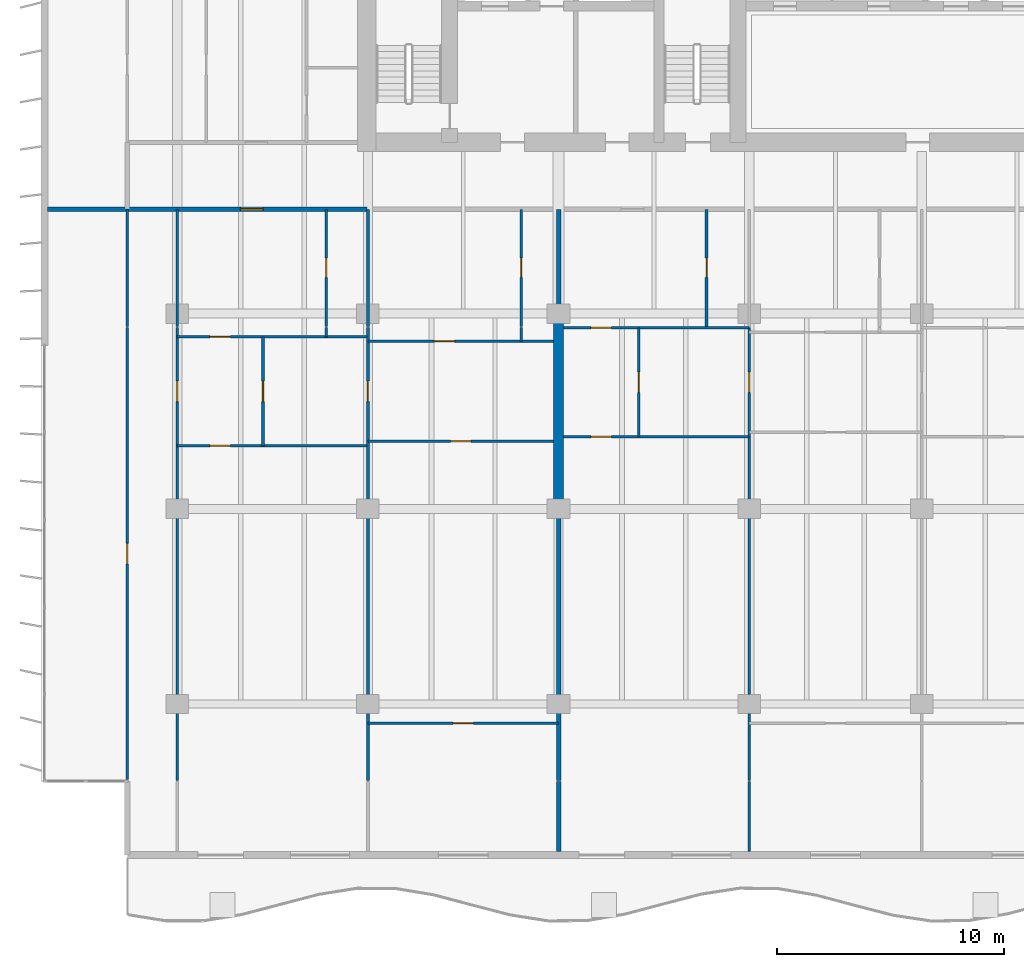
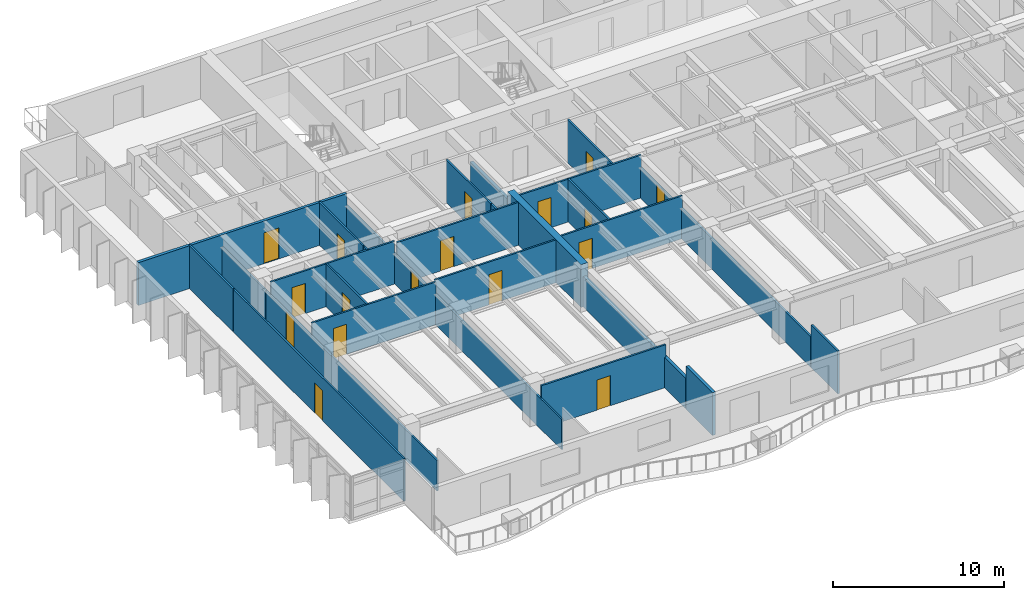
# One storey, part 6 of 15: 28 walls, 17 doors, 17 openings.
"""IFC4 building model written with IfcOpenShell, lengths in metres."""

from ifc_helpers import new_model, si_unit, direction, frame, frame_2d, origin, place, context, subcontext, project, spatial, rectangle, extrude, material, layer, layer_set, type_object, element, fill, save


model = new_model("IFC4")

# Units and contexts
model_context = context("Model", 3, precision=1e-05, world=origin(), true_north=direction((0.0, 1.0)))
body_context = subcontext(model_context, "Body", "Model", "MODEL_VIEW")
ifc_project = project(units=[si_unit("LENGTHUNIT", "METRE"), si_unit("AREAUNIT", "SQUARE_METRE"), si_unit("VOLUMEUNIT", "CUBIC_METRE"), si_unit("PLANEANGLEUNIT", "RADIAN"), si_unit("MASSUNIT", "GRAM", prefix="KILO")], contexts=[model_context])

# Site, building, storey
site_placement = place(None, origin())
site = spatial("IfcSite", under=ifc_project, at=site_placement, CompositionType="ELEMENT")
building_placement = place(site_placement, origin())
building = spatial("IfcBuilding", under=site, at=building_placement, Name="Caelmar Bay Residences", CompositionType="ELEMENT")
storey_placement = place(building_placement, frame((0.0, 0.0, 132.300048828125)))
storey = spatial("IfcBuildingStorey", under=building, at=storey_placement, Name="L36", CompositionType="ELEMENT", Elevation=132.300048828125)

# Wall
ifc_material_1 = material(Name="Concrete f'c 55 MPa (8,000 psi)", Category="concrete")
ifc_layer_1 = layer(ifc_material_1, 0.449951171875)
ifc_layer_set_1 = layer_set([ifc_layer_1], Name="Concrete f'c 55 MPa (8,000 psi)")
wall_type_1 = type_object("IfcWallType", Name="SW-XSLB-450", PredefinedType="SHEAR", material=ifc_layer_set_1)
wall_1_placement = place(storey_placement, frame((26.699951171875, 20.800048828125, 0.0), z_axis=(0.0, 0.0, 1.0), x_axis=(0.0, 1.0, 0.0)))
element("IfcWall", 1, at=wall_1_placement, inside=storey, type_object=wall_type_1, Name="L36 Transverse Cross-Slab Shear Wall W5", PredefinedType="SHEAR", context=body_context, shape_type="SweptSolid", body=[
    extrude(rectangle(XDim=8.599853515625, YDim=0.449951171875, at=frame_2d((4.2998046875, 0.0))), origin(), (0.0, 0.0, 1.0), 3.050048828125),
])

# Wall, opening, door
ifc_material_2 = material(Name="Double-stud acoustic fire-rated gypsum partition 180 mm")
ifc_layer_2 = layer(ifc_material_2, 0.179931640625)
ifc_layer_set_2 = layer_set([ifc_layer_2], Name="Double-stud acoustic fire-rated gypsum partition 180 mm")
wall_type_2 = type_object("IfcWallType", Name="W-COR-200", PredefinedType="PARTITIONING", material=ifc_layer_set_2)
wall_2_placement = place(storey_placement, frame((7.705078125, 34.0, 0.0), z_axis=(0.0, 0.0, 1.0), x_axis=(1.0, 0.0, 0.0)))
wall_2 = element("IfcWall", 2, at=wall_2_placement, inside=storey, type_object=wall_type_2, Name="L36 Partition Wall H093", PredefinedType="PARTITIONING", context=body_context, shape_type="SweptSolid", body=[
    extrude(rectangle(XDim=10.544921875, YDim=0.179931640625, at=frame_2d((5.2724609375, 0.0))), origin(), (0.0, 0.0, 1.0), 3.050048828125),
])
opening_1_placement = place(wall_2_placement, frame((4.978515625, 0.0, 0.0)))
opening_1 = element("IfcOpeningElement", 3, at=opening_1_placement, cuts=wall_2, Name="Opening D-L36-120", PredefinedType="OPENING", context=body_context, shape_type="SweptSolid", body=[
    extrude(rectangle(XDim=1.0, YDim=2.199951171875, at=frame_2d((0.5, 1.10009765625))), frame((0.0, 0.099853515625, 0.0), z_axis=(0.0, -1.0, 0.0), x_axis=(1.0, 0.0, 0.0)), (0.0, 0.0, 1.0), 0.199951171875),
])
ifc_material_3 = material(Name="Fire-rated steel and walnut architectural door assembly", Category="steel")
ifc_layer_3 = layer(ifc_material_3, 0.050048828125)
ifc_layer_set_3 = layer_set([ifc_layer_3], Name="Fire-rated steel and walnut architectural door assembly")
door_type_1 = type_object("IfcDoorType", Name="D-UNIT-1000", OperationType="NOTDEFINED", PredefinedType="DOOR", material=ifc_layer_set_3)
door_1_placement = place(opening_1_placement, origin())
door_1 = element("IfcDoor", 4, at=door_1_placement, inside=storey, type_object=door_type_1, Name="L36 Residence 01 Apartment Hall Door", OperationType="SINGLE_SWING_LEFT", OverallHeight=2.199951171875, OverallWidth=1.0, PredefinedType="DOOR", context=body_context, shape_type="SweptSolid", body=[
    extrude(rectangle(XDim=1.0, YDim=2.199951171875, at=frame_2d((0.5, 1.10009765625))), frame((0.0, 0.02490234375, 0.0), z_axis=(0.0, -1.0, 0.0), x_axis=(1.0, 0.0, 0.0)), (0.0, 0.0, 1.0), 0.050048828125),
])
fill(opening_1, door_1)

ifc_material_4 = material(Name="Acoustic metal-stud gypsum partition 120 mm")
ifc_layer_4 = layer(ifc_material_4, 0.1201171875)
ifc_layer_set_4 = layer_set([ifc_layer_4], Name="Acoustic metal-stud gypsum partition 120 mm")
wall_type_3 = type_object("IfcWallType", Name="W-PRT-120", PredefinedType="PARTITIONING", material=ifc_layer_set_4)
wall_3_placement = place(storey_placement, frame((7.699951171875, 8.885009765625, 0.0), z_axis=(0.0, 0.0, 1.0), x_axis=(0.0, 1.0, 0.0)))
wall_3 = element("IfcWall", 5, at=wall_3_placement, inside=storey, type_object=wall_type_3, Name="L36 Partition Wall V001", PredefinedType="PARTITIONING", context=body_context, shape_type="SweptSolid", body=[
    extrude(rectangle(XDim=19.89501953125, YDim=0.1201171875, at=frame_2d((9.947509765625, 0.0))), origin(), (0.0, 0.0, 1.0), 3.050048828125),
])
opening_2_placement = place(wall_3_placement, frame((9.49755859375, 0.0, 0.0)))
opening_2 = element("IfcOpeningElement", 6, at=opening_2_placement, cuts=wall_3, Name="Opening D-L36-161", PredefinedType="OPENING", context=body_context, shape_type="SweptSolid", body=[
    extrude(rectangle(XDim=0.89990234375, YDim=2.14990234375, at=frame_2d((0.449951171875, 1.074951171875))), frame((0.0, 0.070068359375, 0.0), z_axis=(0.0, -1.0, 0.0), x_axis=(1.0, 0.0, 0.0)), (0.0, 0.0, 1.0), 0.14013671875),
])
ifc_material_5 = material(Name="Solid walnut timber interior door leaf and frame", Category="wood")
ifc_layer_5 = layer(ifc_material_5, 0.050048828125)
ifc_layer_set_5 = layer_set([ifc_layer_5], Name="Solid walnut timber interior door leaf and frame")
door_type_2 = type_object("IfcDoorType", Name="D-ROOM-900", OperationType="NOTDEFINED", PredefinedType="DOOR", material=ifc_layer_set_5)
door_2_placement = place(opening_2_placement, origin())
door_2 = element("IfcDoor", 7, at=door_2_placement, inside=storey, type_object=door_type_2, Name="L36 Residence 01 Penthouse West Salon Door", OperationType="SINGLE_SWING_RIGHT", OverallHeight=2.14990234375, OverallWidth=0.89990234375, PredefinedType="DOOR", context=body_context, shape_type="SweptSolid", body=[
    extrude(rectangle(XDim=0.89990234375, YDim=2.14990234375, at=frame_2d((0.449951171875, 1.074951171875))), frame((0.0, 0.02490234375, 0.0), z_axis=(0.0, -1.0, 0.0), x_axis=(1.0, 0.0, 0.0)), (0.0, 0.0, 1.0), 0.050048828125),
])
fill(opening_2, door_2)

# Wall
wall_4_placement = place(storey_placement, frame((7.699951171875, 28.840087890625, 0.0), z_axis=(0.0, 0.0, 1.0), x_axis=(0.0, 1.0, 0.0)))
element("IfcWall", 8, at=wall_4_placement, inside=storey, type_object=wall_type_3, Name="L36 Partition Wall V002", PredefinedType="PARTITIONING", context=body_context, shape_type="SweptSolid", body=[
    extrude(rectangle(XDim=5.159912109375, YDim=0.1201171875, at=frame_2d((2.580078125, 0.0))), origin(), (0.0, 0.0, 1.0), 3.050048828125),
])

# Wall, opening, door
wall_5_placement = place(storey_placement, frame((9.89990234375, 8.840087890625, 0.0), z_axis=(0.0, 0.0, 1.0), x_axis=(0.0, 1.0, 0.0)))
wall_5 = element("IfcWall", 9, at=wall_5_placement, inside=storey, type_object=wall_type_3, Name="L36 Partition Wall V007", PredefinedType="PARTITIONING", context=body_context, shape_type="SweptSolid", body=[
    extrude(rectangle(XDim=19.93994140625, YDim=0.1201171875, at=frame_2d((9.969970703125, 0.0))), origin(), (0.0, 0.0, 1.0), 2.174072265625),
])
opening_3_placement = place(wall_5_placement, frame((16.68994140625, 0.0, 0.0)))
opening_3 = element("IfcOpeningElement", 10, at=opening_3_placement, cuts=wall_5, Name="Opening D-L36-130", PredefinedType="OPENING", context=body_context, shape_type="SweptSolid", body=[
    extrude(rectangle(XDim=0.89990234375, YDim=2.1240234375, at=frame_2d((0.449951171875, 1.06201171875))), frame((0.0, 0.070068359375, 0.0), z_axis=(0.0, -1.0, 0.0), x_axis=(1.0, 0.0, 0.0)), (0.0, 0.0, 1.0), 0.14013671875),
])
door_3_placement = place(opening_3_placement, origin())
door_3 = element("IfcDoor", 11, at=door_3_placement, inside=storey, type_object=door_type_2, Name="L36 Residence 01 West Apartment Hall Door", OperationType="SINGLE_SWING_LEFT", OverallHeight=2.1240234375, OverallWidth=0.89990234375, PredefinedType="DOOR", context=body_context, shape_type="SweptSolid", body=[
    extrude(rectangle(XDim=0.89990234375, YDim=2.1240234375, at=frame_2d((0.449951171875, 1.06201171875))), frame((0.0, 0.02490234375, 0.0), z_axis=(0.0, -1.0, 0.0), x_axis=(1.0, 0.0, 0.0)), (0.0, 0.0, 1.0), 0.050048828125),
])
fill(opening_3, door_3)

# Wall
wall_6_placement = place(storey_placement, frame((9.89990234375, 28.840087890625, 0.0), z_axis=(0.0, 0.0, 1.0), x_axis=(0.0, 1.0, 0.0)))
element("IfcWall", 12, at=wall_6_placement, inside=storey, type_object=wall_type_3, Name="L36 Partition Wall V008", PredefinedType="PARTITIONING", context=body_context, shape_type="SweptSolid", body=[
    extrude(rectangle(XDim=5.159912109375, YDim=0.1201171875, at=frame_2d((2.580078125, 0.0))), origin(), (0.0, 0.0, 1.0), 2.174072265625),
])

# Wall, opening, door
wall_7_placement = place(storey_placement, frame((13.679931640625, 23.580078125, 0.0), z_axis=(0.0, 0.0, 1.0), x_axis=(0.0, 1.0, 0.0)))
wall_7 = element("IfcWall", 13, at=wall_7_placement, inside=storey, type_object=wall_type_3, Name="L36 Partition Wall V010", PredefinedType="PARTITIONING", context=body_context, shape_type="SweptSolid", body=[
    extrude(rectangle(XDim=4.7998046875, YDim=0.1201171875, at=frame_2d((2.39990234375, 0.0))), origin(), (0.0, 0.0, 1.0), 3.050048828125),
])
opening_4_placement = place(wall_7_placement, frame((1.949951171875, 0.0, 0.0)))
opening_4 = element("IfcOpeningElement", 14, at=opening_4_placement, cuts=wall_7, Name="Opening D-L36-123", PredefinedType="OPENING", context=body_context, shape_type="SweptSolid", body=[
    extrude(rectangle(XDim=0.89990234375, YDim=2.14990234375, at=frame_2d((0.449951171875, 1.074951171875))), frame((0.0, 0.070068359375, 0.0), z_axis=(0.0, -1.0, 0.0), x_axis=(1.0, 0.0, 0.0)), (0.0, 0.0, 1.0), 0.14013671875),
])
door_4_placement = place(opening_4_placement, origin())
door_4 = element("IfcDoor", 15, at=door_4_placement, inside=storey, type_object=door_type_2, Name="L36 Residence 01 Kitchen Door", OperationType="SINGLE_SWING_RIGHT", OverallHeight=2.14990234375, OverallWidth=0.89990234375, PredefinedType="DOOR", context=body_context, shape_type="SweptSolid", body=[
    extrude(rectangle(XDim=0.89990234375, YDim=2.14990234375, at=frame_2d((0.449951171875, 1.074951171875))), frame((0.0, 0.02490234375, 0.0), z_axis=(0.0, -1.0, 0.0), x_axis=(1.0, 0.0, 0.0)), (0.0, 0.0, 1.0), 0.050048828125),
])
fill(opening_4, door_4)

# Wall
wall_8_placement = place(storey_placement, frame((16.467041015625, 28.3798828125, 0.0), z_axis=(0.0, 0.0, 1.0), x_axis=(0.0, 1.0, 0.0)))
element("IfcWall", 16, at=wall_8_placement, inside=storey, type_object=wall_type_3, Name="L36 Partition Wall V012", PredefinedType="PARTITIONING", context=body_context, shape_type="SweptSolid", body=[
    extrude(rectangle(XDim=0.400146484375, YDim=0.1201171875, at=frame_2d((0.2001953125, 0.0))), origin(), (0.0, 0.0, 1.0), 3.050048828125),
])

# Wall, opening, door
wall_9_placement = place(storey_placement, frame((16.467041015625, 28.840087890625, 0.0), z_axis=(0.0, 0.0, 1.0), x_axis=(0.0, 1.0, 0.0)))
wall_9 = element("IfcWall", 17, at=wall_9_placement, inside=storey, type_object=wall_type_3, Name="L36 Partition Wall V013", PredefinedType="PARTITIONING", context=body_context, shape_type="SweptSolid", body=[
    extrude(rectangle(XDim=5.159912109375, YDim=0.1201171875, at=frame_2d((2.580078125, 0.0))), origin(), (0.0, 0.0, 1.0), 3.050048828125),
])
opening_5_placement = place(wall_9_placement, frame((2.155029296875, 0.0, 0.0)))
opening_5 = element("IfcOpeningElement", 18, at=opening_5_placement, cuts=wall_9, Name="Opening D-L36-121", PredefinedType="OPENING", context=body_context, shape_type="SweptSolid", body=[
    extrude(rectangle(XDim=0.85009765625, YDim=2.10009765625, at=frame_2d((0.425048828125, 1.050048828125))), frame((0.0, 0.070068359375, 0.0), z_axis=(0.0, -1.0, 0.0), x_axis=(1.0, 0.0, 0.0)), (0.0, 0.0, 1.0), 0.14013671875),
])
ifc_layer_6 = layer(ifc_material_5, 0.050048828125)
ifc_layer_set_6 = layer_set([ifc_layer_6], Name="Solid walnut timber interior door leaf and frame")
door_type_3 = type_object("IfcDoorType", Name="D-BATH-850", OperationType="NOTDEFINED", PredefinedType="DOOR", material=ifc_layer_set_6)
door_5_placement = place(opening_5_placement, origin())
door_5 = element("IfcDoor", 19, at=door_5_placement, inside=storey, type_object=door_type_3, Name="L36 Residence 01 Guest Bathroom Door", OperationType="SINGLE_SWING_RIGHT", OverallHeight=2.10009765625, OverallWidth=0.85009765625, PredefinedType="DOOR", context=body_context, shape_type="SweptSolid", body=[
    extrude(rectangle(XDim=0.85009765625, YDim=2.10009765625, at=frame_2d((0.425048828125, 1.050048828125))), frame((0.0, 0.02490234375, 0.0), z_axis=(0.0, -1.0, 0.0), x_axis=(1.0, 0.0, 0.0)), (0.0, 0.0, 1.0), 0.050048828125),
])
fill(opening_5, door_5)

wall_10_placement = place(storey_placement, frame((18.300048828125, 8.840087890625, 0.0), z_axis=(0.0, 0.0, 1.0), x_axis=(0.0, 1.0, 0.0)))
wall_10 = element("IfcWall", 20, at=wall_10_placement, inside=storey, type_object=wall_type_3, Name="L36 Partition Wall V015", PredefinedType="PARTITIONING", context=body_context, shape_type="SweptSolid", body=[
    extrude(rectangle(XDim=19.93994140625, YDim=0.1201171875, at=frame_2d((9.969970703125, 0.0))), origin(), (0.0, 0.0, 1.0), 2.174072265625),
])
opening_6_placement = place(wall_10_placement, frame((16.68994140625, 0.0, 0.0)))
opening_6 = element("IfcOpeningElement", 21, at=opening_6_placement, cuts=wall_10, Name="Opening D-L36-125", PredefinedType="OPENING", context=body_context, shape_type="SweptSolid", body=[
    extrude(rectangle(XDim=0.89990234375, YDim=2.1240234375, at=frame_2d((0.449951171875, 1.06201171875))), frame((0.0, 0.070068359375, 0.0), z_axis=(0.0, -1.0, 0.0), x_axis=(1.0, 0.0, 0.0)), (0.0, 0.0, 1.0), 0.14013671875),
])
door_6_placement = place(opening_6_placement, origin())
door_6 = element("IfcDoor", 22, at=door_6_placement, inside=storey, type_object=door_type_2, Name="L36 Residence 01 Reception Lounge 1 Door", OperationType="SINGLE_SWING_RIGHT", OverallHeight=2.1240234375, OverallWidth=0.89990234375, PredefinedType="DOOR", context=body_context, shape_type="SweptSolid", body=[
    extrude(rectangle(XDim=0.89990234375, YDim=2.1240234375, at=frame_2d((0.449951171875, 1.06201171875))), frame((0.0, 0.02490234375, 0.0), z_axis=(0.0, -1.0, 0.0), x_axis=(1.0, 0.0, 0.0)), (0.0, 0.0, 1.0), 0.050048828125),
])
fill(opening_6, door_6)

# Walls
wall_11_placement = place(storey_placement, frame((18.300048828125, 28.840087890625, 0.0), z_axis=(0.0, 0.0, 1.0), x_axis=(0.0, 1.0, 0.0)))
element("IfcWall", 23, at=wall_11_placement, inside=storey, type_object=wall_type_3, Name="L36 Partition Wall V016", PredefinedType="PARTITIONING", context=body_context, shape_type="SweptSolid", body=[
    extrude(rectangle(XDim=5.159912109375, YDim=0.1201171875, at=frame_2d((2.580078125, 0.0))), origin(), (0.0, 0.0, 1.0), 2.174072265625),
])
wall_12_placement = place(storey_placement, frame((25.051025390625, 28.179931640625, 0.0), z_axis=(0.0, 0.0, 1.0), x_axis=(0.0, 1.0, 0.0)))
element("IfcWall", 24, at=wall_12_placement, inside=storey, type_object=wall_type_3, Name="L36 Partition Wall V018", PredefinedType="PARTITIONING", context=body_context, shape_type="SweptSolid", body=[
    extrude(rectangle(XDim=0.60009765625, YDim=0.1201171875, at=frame_2d((0.300048828125, 0.0))), origin(), (0.0, 0.0, 1.0), 3.050048828125),
])

# Wall, opening, door
wall_13_placement = place(storey_placement, frame((25.051025390625, 28.840087890625, 0.0), z_axis=(0.0, 0.0, 1.0), x_axis=(0.0, 1.0, 0.0)))
wall_13 = element("IfcWall", 25, at=wall_13_placement, inside=storey, type_object=wall_type_3, Name="L36 Partition Wall V019", PredefinedType="PARTITIONING", context=body_context, shape_type="SweptSolid", body=[
    extrude(rectangle(XDim=5.159912109375, YDim=0.1201171875, at=frame_2d((2.580078125, 0.0))), origin(), (0.0, 0.0, 1.0), 3.050048828125),
])
opening_7_placement = place(wall_13_placement, frame((2.155029296875, 0.0, 0.0)))
opening_7 = element("IfcOpeningElement", 26, at=opening_7_placement, cuts=wall_13, Name="Opening D-L36-127", PredefinedType="OPENING", context=body_context, shape_type="SweptSolid", body=[
    extrude(rectangle(XDim=0.85009765625, YDim=2.10009765625, at=frame_2d((0.425048828125, 1.050048828125))), frame((0.0, 0.070068359375, 0.0), z_axis=(0.0, -1.0, 0.0), x_axis=(1.0, 0.0, 0.0)), (0.0, 0.0, 1.0), 0.14013671875),
])
door_7_placement = place(opening_7_placement, origin())
door_7 = element("IfcDoor", 27, at=door_7_placement, inside=storey, type_object=door_type_3, Name="L36 Residence 01 En-Suite Bathroom 1 Door", OperationType="SINGLE_SWING_RIGHT", OverallHeight=2.10009765625, OverallWidth=0.85009765625, PredefinedType="DOOR", context=body_context, shape_type="SweptSolid", body=[
    extrude(rectangle(XDim=0.85009765625, YDim=2.10009765625, at=frame_2d((0.425048828125, 1.050048828125))), frame((0.0, 0.02490234375, 0.0), z_axis=(0.0, -1.0, 0.0), x_axis=(1.0, 0.0, 0.0)), (0.0, 0.0, 1.0), 0.050048828125),
])
fill(opening_7, door_7)

wall_14_placement = place(storey_placement, frame((30.22802734375, 23.97998046875, 0.0), z_axis=(0.0, 0.0, 1.0), x_axis=(0.0, 1.0, 0.0)))
wall_14 = element("IfcWall", 28, at=wall_14_placement, inside=storey, type_object=wall_type_3, Name="L36 Partition Wall V026", PredefinedType="PARTITIONING", context=body_context, shape_type="SweptSolid", body=[
    extrude(rectangle(XDim=4.800048828125, YDim=0.1201171875, at=frame_2d((2.39990234375, 0.0))), origin(), (0.0, 0.0, 1.0), 3.050048828125),
])
opening_8_placement = place(wall_14_placement, frame((1.949951171875, 0.0, 0.0)))
opening_8 = element("IfcOpeningElement", 29, at=opening_8_placement, cuts=wall_14, Name="Opening D-L36-134", PredefinedType="OPENING", context=body_context, shape_type="SweptSolid", body=[
    extrude(rectangle(XDim=0.89990234375, YDim=2.14990234375, at=frame_2d((0.449951171875, 1.074951171875))), frame((0.0, 0.070068359375, 0.0), z_axis=(0.0, -1.0, 0.0), x_axis=(1.0, 0.0, 0.0)), (0.0, 0.0, 1.0), 0.14013671875),
])
door_8_placement = place(opening_8_placement, origin())
door_8 = element("IfcDoor", 30, at=door_8_placement, inside=storey, type_object=door_type_2, Name="L36 Residence 02 Kitchen Door", OperationType="SINGLE_SWING_LEFT", OverallHeight=2.14990234375, OverallWidth=0.89990234375, PredefinedType="DOOR", context=body_context, shape_type="SweptSolid", body=[
    extrude(rectangle(XDim=0.89990234375, YDim=2.14990234375, at=frame_2d((0.449951171875, 1.074951171875))), frame((0.0, 0.02490234375, 0.0), z_axis=(0.0, -1.0, 0.0), x_axis=(1.0, 0.0, 0.0)), (0.0, 0.0, 1.0), 0.050048828125),
])
fill(opening_8, door_8)

wall_15_placement = place(storey_placement, frame((33.222900390625, 28.840087890625, 0.0), z_axis=(0.0, 0.0, 1.0), x_axis=(0.0, 1.0, 0.0)))
wall_15 = element("IfcWall", 31, at=wall_15_placement, inside=storey, type_object=wall_type_3, Name="L36 Partition Wall V027", PredefinedType="PARTITIONING", context=body_context, shape_type="SweptSolid", body=[
    extrude(rectangle(XDim=5.159912109375, YDim=0.1201171875, at=frame_2d((2.580078125, 0.0))), origin(), (0.0, 0.0, 1.0), 3.050048828125),
])
opening_9_placement = place(wall_15_placement, frame((2.155029296875, 0.0, 0.0)))
opening_9 = element("IfcOpeningElement", 32, at=opening_9_placement, cuts=wall_15, Name="Opening D-L36-132", PredefinedType="OPENING", context=body_context, shape_type="SweptSolid", body=[
    extrude(rectangle(XDim=0.85009765625, YDim=2.10009765625, at=frame_2d((0.425048828125, 1.050048828125))), frame((0.0, 0.070068359375, 0.0), z_axis=(0.0, -1.0, 0.0), x_axis=(1.0, 0.0, 0.0)), (0.0, 0.0, 1.0), 0.14013671875),
])
door_9_placement = place(opening_9_placement, origin())
door_9 = element("IfcDoor", 33, at=door_9_placement, inside=storey, type_object=door_type_3, Name="L36 Residence 02 Guest Bathroom Door", OperationType="SINGLE_SWING_LEFT", OverallHeight=2.10009765625, OverallWidth=0.85009765625, PredefinedType="DOOR", context=body_context, shape_type="SweptSolid", body=[
    extrude(rectangle(XDim=0.85009765625, YDim=2.10009765625, at=frame_2d((0.425048828125, 1.050048828125))), frame((0.0, 0.02490234375, 0.0), z_axis=(0.0, -1.0, 0.0), x_axis=(1.0, 0.0, 0.0)), (0.0, 0.0, 1.0), 0.050048828125),
])
fill(opening_9, door_9)

# Wall
wall_16_placement = place(storey_placement, frame((35.10009765625, 5.695068359375, 0.0), z_axis=(0.0, 0.0, 1.0), x_axis=(0.0, 1.0, 0.0)))
element("IfcWall", 34, at=wall_16_placement, inside=storey, type_object=wall_type_3, Name="L36 Partition Wall V028", PredefinedType="PARTITIONING", context=body_context, shape_type="SweptSolid", body=[
    extrude(rectangle(XDim=3.10498046875, YDim=0.1201171875, at=frame_2d((1.552490234375, 0.0))), origin(), (0.0, 0.0, 1.0), 3.050048828125),
])

# Wall, opening, door
wall_17_placement = place(storey_placement, frame((35.10009765625, 8.840087890625, 0.0), z_axis=(0.0, 0.0, 1.0), x_axis=(0.0, 1.0, 0.0)))
wall_17 = element("IfcWall", 35, at=wall_17_placement, inside=storey, type_object=wall_type_3, Name="L36 Partition Wall V029", PredefinedType="PARTITIONING", context=body_context, shape_type="SweptSolid", body=[
    extrude(rectangle(XDim=19.93994140625, YDim=0.1201171875, at=frame_2d((9.969970703125, 0.0))), origin(), (0.0, 0.0, 1.0), 2.174072265625),
])
opening_10_placement = place(wall_17_placement, frame((17.090087890625, 0.0, 0.0)))
opening_10 = element("IfcOpeningElement", 36, at=opening_10_placement, cuts=wall_17, Name="Opening D-L36-136", PredefinedType="OPENING", context=body_context, shape_type="SweptSolid", body=[
    extrude(rectangle(XDim=0.89990234375, YDim=2.1240234375, at=frame_2d((0.449951171875, 1.06201171875))), frame((0.0, 0.070068359375, 0.0), z_axis=(0.0, -1.0, 0.0), x_axis=(1.0, 0.0, 0.0)), (0.0, 0.0, 1.0), 0.14013671875),
])
door_10_placement = place(opening_10_placement, origin())
door_10 = element("IfcDoor", 37, at=door_10_placement, inside=storey, type_object=door_type_2, Name="L36 Residence 02 Reception Lounge 1 Door", OperationType="SINGLE_SWING_LEFT", OverallHeight=2.1240234375, OverallWidth=0.89990234375, PredefinedType="DOOR", context=body_context, shape_type="SweptSolid", body=[
    extrude(rectangle(XDim=0.89990234375, YDim=2.1240234375, at=frame_2d((0.449951171875, 1.06201171875))), frame((0.0, 0.02490234375, 0.0), z_axis=(0.0, -1.0, 0.0), x_axis=(1.0, 0.0, 0.0)), (0.0, 0.0, 1.0), 0.050048828125),
])
fill(opening_10, door_10)

wall_18_placement = place(storey_placement, frame((18.300048828125, 11.35009765625, 0.0), z_axis=(0.0, 0.0, 1.0), x_axis=(1.0, 0.0, 0.0)))
wall_18 = element("IfcWall", 38, at=wall_18_placement, inside=storey, type_object=wall_type_3, Name="L36 Partition Wall H071", PredefinedType="PARTITIONING", context=body_context, shape_type="SweptSolid", body=[
    extrude(rectangle(XDim=8.39990234375, YDim=0.1201171875, at=frame_2d((4.199951171875, 0.0))), origin(), (0.0, 0.0, 1.0), 3.050048828125),
])
opening_11_placement = place(wall_18_placement, frame((3.75, 0.0, 0.0)))
opening_11 = element("IfcOpeningElement", 39, at=opening_11_placement, cuts=wall_18, Name="Opening D-L36-129", PredefinedType="OPENING", context=body_context, shape_type="SweptSolid", body=[
    extrude(rectangle(XDim=0.89990234375, YDim=2.14990234375, at=frame_2d((0.449951171875, 1.074951171875))), frame((0.0, 0.070068359375, 0.0), z_axis=(0.0, -1.0, 0.0), x_axis=(1.0, 0.0, 0.0)), (0.0, 0.0, 1.0), 0.14013671875),
])
door_11_placement = place(opening_11_placement, origin())
door_11 = element("IfcDoor", 40, at=door_11_placement, inside=storey, type_object=door_type_2, Name="L36 Residence 01 Primary Bedroom 1 Door", OperationType="SINGLE_SWING_RIGHT", OverallHeight=2.14990234375, OverallWidth=0.89990234375, PredefinedType="DOOR", context=body_context, shape_type="SweptSolid", body=[
    extrude(rectangle(XDim=0.89990234375, YDim=2.14990234375, at=frame_2d((0.449951171875, 1.074951171875))), frame((0.0, 0.02490234375, 0.0), z_axis=(0.0, -1.0, 0.0), x_axis=(1.0, 0.0, 0.0)), (0.0, 0.0, 1.0), 0.050048828125),
])
fill(opening_11, door_11)

wall_19_placement = place(storey_placement, frame((9.89990234375, 23.580078125, 0.0), z_axis=(0.0, 0.0, 1.0), x_axis=(1.0, 0.0, 0.0)))
wall_19 = element("IfcWall", 41, at=wall_19_placement, inside=storey, type_object=wall_type_3, Name="L36 Partition Wall H078", PredefinedType="PARTITIONING", context=body_context, shape_type="SweptSolid", body=[
    extrude(rectangle(XDim=8.35009765625, YDim=0.1201171875, at=frame_2d((4.175048828125, 0.0))), origin(), (0.0, 0.0, 1.0), 3.050048828125),
])
opening_12_placement = place(wall_19_placement, frame((1.43994140625, 0.0, 0.0)))
opening_12 = element("IfcOpeningElement", 42, at=opening_12_placement, cuts=wall_19, Name="Opening D-L36-124", PredefinedType="OPENING", context=body_context, shape_type="SweptSolid", body=[
    extrude(rectangle(XDim=0.89990234375, YDim=2.14990234375, at=frame_2d((0.449951171875, 1.074951171875))), frame((0.0, 0.070068359375, 0.0), z_axis=(0.0, -1.0, 0.0), x_axis=(1.0, 0.0, 0.0)), (0.0, 0.0, 1.0), 0.14013671875),
])
door_12_placement = place(opening_12_placement, origin())
door_12 = element("IfcDoor", 43, at=door_12_placement, inside=storey, type_object=door_type_2, Name="L36 Residence 01 Penthouse Living Salon Door", OperationType="SINGLE_SWING_LEFT", OverallHeight=2.14990234375, OverallWidth=0.89990234375, PredefinedType="DOOR", context=body_context, shape_type="SweptSolid", body=[
    extrude(rectangle(XDim=0.89990234375, YDim=2.14990234375, at=frame_2d((0.449951171875, 1.074951171875))), frame((0.0, 0.02490234375, 0.0), z_axis=(0.0, -1.0, 0.0), x_axis=(1.0, 0.0, 0.0)), (0.0, 0.0, 1.0), 0.050048828125),
])
fill(opening_12, door_12)

wall_20_placement = place(storey_placement, frame((18.300048828125, 23.780029296875, 0.0), z_axis=(0.0, 0.0, 1.0), x_axis=(1.0, 0.0, 0.0)))
wall_20 = element("IfcWall", 44, at=wall_20_placement, inside=storey, type_object=wall_type_3, Name="L36 Partition Wall H080", PredefinedType="PARTITIONING", context=body_context, shape_type="SweptSolid", body=[
    extrude(rectangle(XDim=8.179931640625, YDim=0.1201171875, at=frame_2d((4.08984375, 0.0))), origin(), (0.0, 0.0, 1.0), 3.050048828125),
])
opening_13_placement = place(wall_20_placement, frame((3.639892578125, 0.0, 0.0)))
opening_13 = element("IfcOpeningElement", 45, at=opening_13_placement, cuts=wall_20, Name="Opening D-L36-128", PredefinedType="OPENING", context=body_context, shape_type="SweptSolid", body=[
    extrude(rectangle(XDim=0.89990234375, YDim=2.14990234375, at=frame_2d((0.449951171875, 1.074951171875))), frame((0.0, 0.070068359375, 0.0), z_axis=(0.0, -1.0, 0.0), x_axis=(1.0, 0.0, 0.0)), (0.0, 0.0, 1.0), 0.14013671875),
])
door_13_placement = place(opening_13_placement, origin())
door_13 = element("IfcDoor", 46, at=door_13_placement, inside=storey, type_object=door_type_2, Name="L36 Residence 01 Penthouse Sitting Salon 1 Door", OperationType="SINGLE_SWING_LEFT", OverallHeight=2.14990234375, OverallWidth=0.89990234375, PredefinedType="DOOR", context=body_context, shape_type="SweptSolid", body=[
    extrude(rectangle(XDim=0.89990234375, YDim=2.14990234375, at=frame_2d((0.449951171875, 1.074951171875))), frame((0.0, 0.02490234375, 0.0), z_axis=(0.0, -1.0, 0.0), x_axis=(1.0, 0.0, 0.0)), (0.0, 0.0, 1.0), 0.050048828125),
])
fill(opening_13, door_13)

wall_21_placement = place(storey_placement, frame((26.919921875, 23.97998046875, 0.0), z_axis=(0.0, 0.0, 1.0), x_axis=(1.0, 0.0, 0.0)))
wall_21 = element("IfcWall", 47, at=wall_21_placement, inside=storey, type_object=wall_type_3, Name="L36 Partition Wall H081", PredefinedType="PARTITIONING", context=body_context, shape_type="SweptSolid", body=[
    extrude(rectangle(XDim=8.18017578125, YDim=0.1201171875, at=frame_2d((4.090087890625, 0.0))), origin(), (0.0, 0.0, 1.0), 3.050048828125),
])
opening_14_placement = place(wall_21_placement, frame((1.2041015625, 0.0, 0.0)))
opening_14 = element("IfcOpeningElement", 48, at=opening_14_placement, cuts=wall_21, Name="Opening D-L36-135", PredefinedType="OPENING", context=body_context, shape_type="SweptSolid", body=[
    extrude(rectangle(XDim=0.89990234375, YDim=2.14990234375, at=frame_2d((0.449951171875, 1.074951171875))), frame((0.0, 0.070068359375, 0.0), z_axis=(0.0, -1.0, 0.0), x_axis=(1.0, 0.0, 0.0)), (0.0, 0.0, 1.0), 0.14013671875),
])
door_14_placement = place(opening_14_placement, origin())
door_14 = element("IfcDoor", 49, at=door_14_placement, inside=storey, type_object=door_type_2, Name="L36 Residence 02 Penthouse Living Salon Door", OperationType="SINGLE_SWING_RIGHT", OverallHeight=2.14990234375, OverallWidth=0.89990234375, PredefinedType="DOOR", context=body_context, shape_type="SweptSolid", body=[
    extrude(rectangle(XDim=0.89990234375, YDim=2.14990234375, at=frame_2d((0.449951171875, 1.074951171875))), frame((0.0, 0.02490234375, 0.0), z_axis=(0.0, -1.0, 0.0), x_axis=(1.0, 0.0, 0.0)), (0.0, 0.0, 1.0), 0.050048828125),
])
fill(opening_14, door_14)

wall_22_placement = place(storey_placement, frame((18.300048828125, 28.179931640625, 0.0), z_axis=(0.0, 0.0, 1.0), x_axis=(1.0, 0.0, 0.0)))
wall_22 = element("IfcWall", 50, at=wall_22_placement, inside=storey, type_object=wall_type_3, Name="L36 Partition Wall H084", PredefinedType="PARTITIONING", context=body_context, shape_type="SweptSolid", body=[
    extrude(rectangle(XDim=8.179931640625, YDim=0.1201171875, at=frame_2d((4.08984375, 0.0))), origin(), (0.0, 0.0, 1.0), 3.050048828125),
])
opening_15_placement = place(wall_22_placement, frame((2.925537109375, 0.0, 0.0)))
opening_15 = element("IfcOpeningElement", 51, at=opening_15_placement, cuts=wall_22, Name="Opening D-L36-126", PredefinedType="OPENING", context=body_context, shape_type="SweptSolid", body=[
    extrude(rectangle(XDim=0.89990234375, YDim=2.14990234375, at=frame_2d((0.449951171875, 1.074951171875))), frame((0.0, 0.070068359375, 0.0), z_axis=(0.0, -1.0, 0.0), x_axis=(1.0, 0.0, 0.0)), (0.0, 0.0, 1.0), 0.14013671875),
])
door_15_placement = place(opening_15_placement, origin())
door_15 = element("IfcDoor", 52, at=door_15_placement, inside=storey, type_object=door_type_2, Name="L36 Residence 01 Private Reception Room 1 Door", OperationType="SINGLE_SWING_LEFT", OverallHeight=2.14990234375, OverallWidth=0.89990234375, PredefinedType="DOOR", context=body_context, shape_type="SweptSolid", body=[
    extrude(rectangle(XDim=0.89990234375, YDim=2.14990234375, at=frame_2d((0.449951171875, 1.074951171875))), frame((0.0, 0.02490234375, 0.0), z_axis=(0.0, -1.0, 0.0), x_axis=(1.0, 0.0, 0.0)), (0.0, 0.0, 1.0), 0.050048828125),
])
fill(opening_15, door_15)

wall_23_placement = place(storey_placement, frame((9.89990234375, 28.3798828125, 0.0), z_axis=(0.0, 0.0, 1.0), x_axis=(1.0, 0.0, 0.0)))
wall_23 = element("IfcWall", 53, at=wall_23_placement, inside=storey, type_object=wall_type_3, Name="L36 Partition Wall H085", PredefinedType="PARTITIONING", context=body_context, shape_type="SweptSolid", body=[
    extrude(rectangle(XDim=8.35009765625, YDim=0.1201171875, at=frame_2d((4.175048828125, 0.0))), origin(), (0.0, 0.0, 1.0), 3.050048828125),
])
opening_16_placement = place(wall_23_placement, frame((1.43994140625, 0.0, 0.0)))
opening_16 = element("IfcOpeningElement", 54, at=opening_16_placement, cuts=wall_23, Name="Opening D-L36-122", PredefinedType="OPENING", context=body_context, shape_type="SweptSolid", body=[
    extrude(rectangle(XDim=0.89990234375, YDim=2.14990234375, at=frame_2d((0.449951171875, 1.074951171875))), frame((0.0, 0.070068359375, 0.0), z_axis=(0.0, -1.0, 0.0), x_axis=(1.0, 0.0, 0.0)), (0.0, 0.0, 1.0), 0.14013671875),
])
door_16_placement = place(opening_16_placement, origin())
door_16 = element("IfcDoor", 55, at=door_16_placement, inside=storey, type_object=door_type_2, Name="L36 Residence 01 Dining Room Door", OperationType="SINGLE_SWING_LEFT", OverallHeight=2.14990234375, OverallWidth=0.89990234375, PredefinedType="DOOR", context=body_context, shape_type="SweptSolid", body=[
    extrude(rectangle(XDim=0.89990234375, YDim=2.14990234375, at=frame_2d((0.449951171875, 1.074951171875))), frame((0.0, 0.02490234375, 0.0), z_axis=(0.0, -1.0, 0.0), x_axis=(1.0, 0.0, 0.0)), (0.0, 0.0, 1.0), 0.050048828125),
])
fill(opening_16, door_16)

wall_24_placement = place(storey_placement, frame((26.919921875, 28.780029296875, 0.0), z_axis=(0.0, 0.0, 1.0), x_axis=(1.0, 0.0, 0.0)))
wall_24 = element("IfcWall", 56, at=wall_24_placement, inside=storey, type_object=wall_type_3, Name="L36 Partition Wall H089", PredefinedType="PARTITIONING", context=body_context, shape_type="SweptSolid", body=[
    extrude(rectangle(XDim=8.18017578125, YDim=0.1201171875, at=frame_2d((4.090087890625, 0.0))), origin(), (0.0, 0.0, 1.0), 3.050048828125),
])
opening_17_placement = place(wall_24_placement, frame((1.2041015625, 0.0, 0.0)))
opening_17 = element("IfcOpeningElement", 57, at=opening_17_placement, cuts=wall_24, Name="Opening D-L36-133", PredefinedType="OPENING", context=body_context, shape_type="SweptSolid", body=[
    extrude(rectangle(XDim=0.89990234375, YDim=2.14990234375, at=frame_2d((0.449951171875, 1.074951171875))), frame((0.0, 0.070068359375, 0.0), z_axis=(0.0, -1.0, 0.0), x_axis=(1.0, 0.0, 0.0)), (0.0, 0.0, 1.0), 0.14013671875),
])
door_17_placement = place(opening_17_placement, origin())
door_17 = element("IfcDoor", 58, at=door_17_placement, inside=storey, type_object=door_type_2, Name="L36 Residence 02 Dining Room Door", OperationType="SINGLE_SWING_RIGHT", OverallHeight=2.14990234375, OverallWidth=0.89990234375, PredefinedType="DOOR", context=body_context, shape_type="SweptSolid", body=[
    extrude(rectangle(XDim=0.89990234375, YDim=2.14990234375, at=frame_2d((0.449951171875, 1.074951171875))), frame((0.0, 0.02490234375, 0.0), z_axis=(0.0, -1.0, 0.0), x_axis=(1.0, 0.0, 0.0)), (0.0, 0.0, 1.0), 0.050048828125),
])
fill(opening_17, door_17)

# Walls
ifc_material_6 = material(Name="Acoustic twin-stud fire-rated inter-tenancy partition 200 mm")
ifc_layer_7 = layer(ifc_material_6, 0.199951171875)
ifc_layer_set_7 = layer_set([ifc_layer_7], Name="Acoustic twin-stud fire-rated inter-tenancy partition 200 mm")
wall_type_4 = type_object("IfcWallType", Name="W-PTY-200", PredefinedType="PARTITIONING", material=ifc_layer_set_7)
wall_25_placement = place(storey_placement, frame((26.699951171875, 5.695068359375, 0.0), z_axis=(0.0, 0.0, 1.0), x_axis=(0.0, 1.0, 0.0)))
element("IfcWall", 59, at=wall_25_placement, inside=storey, type_object=wall_type_4, Name="L36 Partition Wall V021", PredefinedType="PARTITIONING", context=body_context, shape_type="SweptSolid", body=[
    extrude(rectangle(XDim=3.10498046875, YDim=0.199951171875, at=frame_2d((1.552490234375, 0.0))), origin(), (0.0, 0.0, 1.0), 3.050048828125),
])
wall_26_placement = place(storey_placement, frame((26.699951171875, 8.840087890625, 0.0), z_axis=(0.0, 0.0, 1.0), x_axis=(0.0, 1.0, 0.0)))
element("IfcWall", 60, at=wall_26_placement, inside=storey, type_object=wall_type_4, Name="L36 Partition Wall V022", PredefinedType="PARTITIONING", context=body_context, shape_type="SweptSolid", body=[
    extrude(rectangle(XDim=11.954833984375, YDim=0.199951171875, at=frame_2d((5.9775390625, 0.0))), origin(), (0.0, 0.0, 1.0), 2.174072265625),
])
wall_27_placement = place(storey_placement, frame((26.699951171875, 29.405029296875, 0.0), z_axis=(0.0, 0.0, 1.0), x_axis=(0.0, 1.0, 0.0)))
element("IfcWall", 61, at=wall_27_placement, inside=storey, type_object=wall_type_4, Name="L36 Partition Wall V023", PredefinedType="PARTITIONING", context=body_context, shape_type="SweptSolid", body=[
    extrude(rectangle(XDim=4.594970703125, YDim=0.199951171875, at=frame_2d((2.29736328125, 0.0))), origin(), (0.0, 0.0, 1.0), 2.3349609375),
])
wall_28_placement = place(storey_placement, frame((4.195068359375, 34.0, 0.0), z_axis=(0.0, 0.0, 1.0), x_axis=(1.0, 0.0, 0.0)))
element("IfcWall", 62, at=wall_28_placement, inside=storey, type_object=wall_type_4, Name="L36 Partition Wall H092", PredefinedType="PARTITIONING", context=body_context, shape_type="SweptSolid", body=[
    extrude(rectangle(XDim=3.5048828125, YDim=0.199951171875, at=frame_2d((1.75244140625, 0.0))), origin(), (0.0, 0.0, 1.0), 3.050048828125),
])

save(model, "model.ifc")
